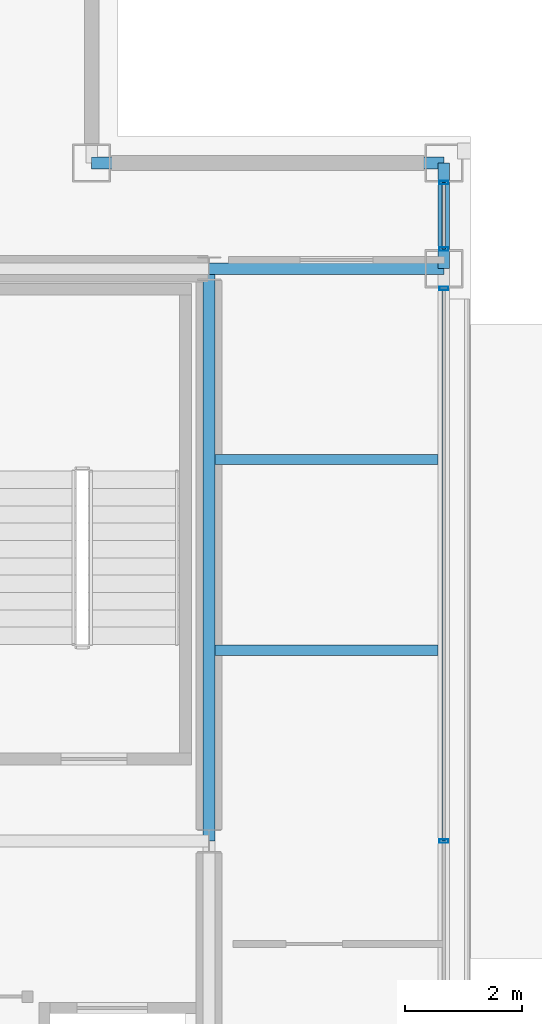
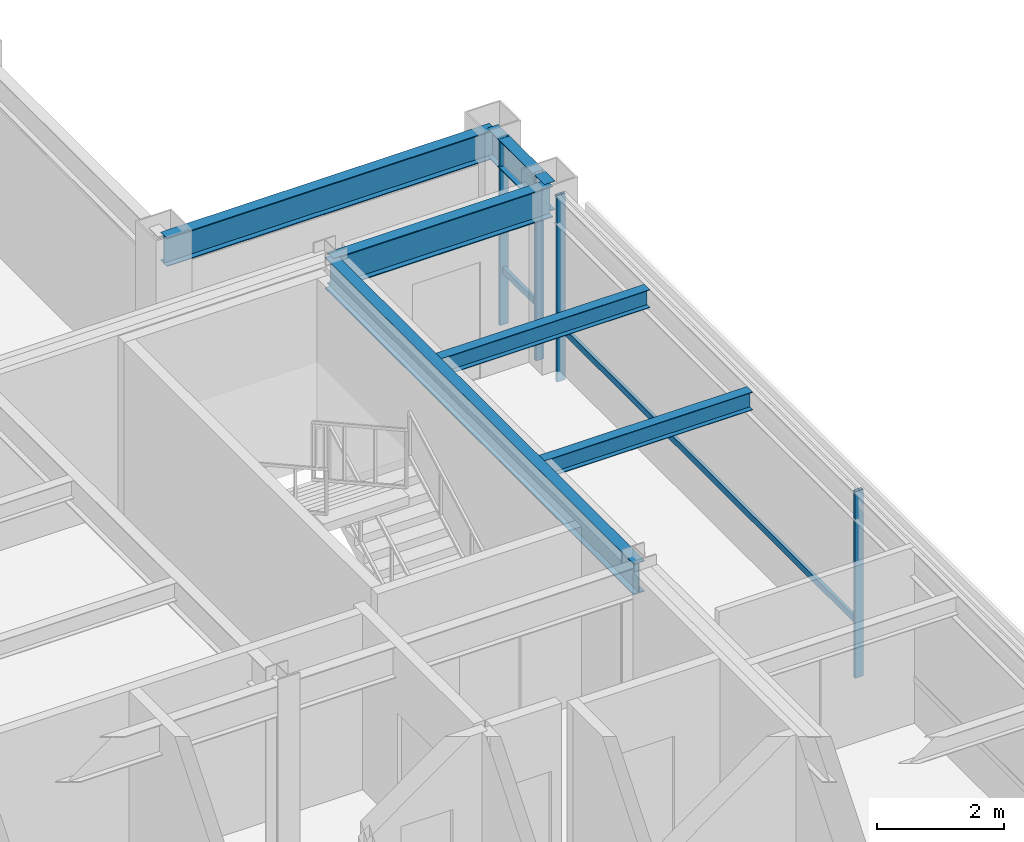
# One storey, part 12 of 20: 6 beams, 6 members, 2 elements without a shape of their own.
"""IFC4 building model written with IfcOpenShell, lengths in metres."""

from ifc_helpers import new_model, si_unit, direction, frame, origin, origin_2d, place, context, subcontext, project, spatial, hollow_rectangle, i_section, extrude, material, layer, layer_set, material_profile, profile_set, type_object, element, aggregate, save


model = new_model("IFC4")

# Units and contexts
model_context = context("Model", 3, precision=1e-05, world=origin(), true_north=direction((0.0, 1.0)))
body_context = subcontext(model_context, "Body", "Model", "MODEL_VIEW")
ifc_project = project(units=[si_unit("LENGTHUNIT", "METRE"), si_unit("AREAUNIT", "SQUARE_METRE"), si_unit("VOLUMEUNIT", "CUBIC_METRE"), si_unit("PLANEANGLEUNIT", "RADIAN"), si_unit("MASSUNIT", "GRAM", prefix="KILO")], contexts=[model_context])

# Site, building, storey
site_placement = place(None, origin())
site = spatial("IfcSite", under=ifc_project, at=site_placement, CompositionType="ELEMENT")
building_placement = place(site_placement, origin())
building = spatial("IfcBuilding", under=site, at=building_placement, Name="Brelmoor Portico Tower", CompositionType="ELEMENT")
storey_placement = place(building_placement, frame((0.0, 0.0, 243.60009765625)))
storey = spatial("IfcBuildingStorey", under=building, at=storey_placement, Name="L64", CompositionType="ELEMENT", Elevation=243.60009765625)

# Beams
ifc_material_1 = material(Name="Steel Q355B", Category="steel")
ifc_material_profile_1 = material_profile(ifc_material_1, i_section(OverallWidth=0.175048828125, OverallDepth=0.35009765625, WebThickness=0.007080078125, FlangeThickness=0.010986328125, at=origin_2d()), Name="HN 350x175x7x11")
ifc_profile_set_1 = profile_set([ifc_material_profile_1], Name="Steel Q355B")
beam_type_1 = type_object("IfcBeamType", Name="BM-JS-350", PredefinedType="JOIST", material=ifc_profile_set_1)
for number, where, z_axis, x_axis, name in (
    (1, (14.64990234375, 3.25, 3.224853515625), (1.0, 0.0, 0.0), (0.0, 1.0, 0.0), "L64 Secondary Wing Joist JS-E13"),
    (2, (14.64990234375, 6.5, 3.224853515625), (1.0, 0.0, 0.0), (0.0, 1.0, 0.0), "L64 Secondary Wing Joist JS-E14"),
):
    element("IfcBeam", number, at=place(storey_placement, frame(where, z_axis=z_axis, x_axis=x_axis)), inside=storey, type_object=beam_type_1, Name=name, PredefinedType="JOIST", context=body_context, shape_type="SweptSolid", body=[
        extrude(i_section(OverallWidth=0.175048828125, OverallDepth=0.35009765625, WebThickness=0.007080078125, FlangeThickness=0.010986328125, at=origin_2d()), origin(), (0.0, 0.0, 1.0), 3.800048828125),
    ])
ifc_material_profile_2 = material_profile(ifc_material_1, i_section(OverallWidth=0.199951171875, OverallDepth=0.60009765625, WebThickness=0.010986328125, FlangeThickness=0.01708984375, at=origin_2d()), Name="HN 600x200x11x17")
ifc_profile_set_2 = profile_set([ifc_material_profile_2], Name="Steel Q355B")
beam_type_2 = type_object("IfcBeamType", Name="BM-PG-600", PredefinedType="BEAM", material=ifc_profile_set_2)
beam_1_placement = place(storey_placement, frame((14.550048828125, 0.0, 3.099853515625), z_axis=(0.0, 1.0, 0.0), x_axis=(-1.0, 0.0, 0.0)))
element("IfcBeam", 3, at=beam_1_placement, inside=storey, type_object=beam_type_2, Name="L64 Primary Floor Girder PG-10", PredefinedType="BEAM", context=body_context, shape_type="SweptSolid", body=[
    extrude(i_section(OverallWidth=0.199951171875, OverallDepth=0.60009765625, WebThickness=0.010986328125, FlangeThickness=0.01708984375, at=origin_2d()), origin(), (0.0, 0.0, 1.0), 9.75),
])
beam_2_placement = place(storey_placement, frame((14.550048828125, 9.75, 3.099853515625), z_axis=(1.0, 0.0, 0.0), x_axis=(0.0, 1.0, 0.0)))
element("IfcBeam", 4, at=beam_2_placement, inside=storey, type_object=beam_type_2, Name="L64 Primary Floor Girder PG-23", PredefinedType="BEAM", context=body_context, shape_type="SweptSolid", body=[
    extrude(i_section(OverallWidth=0.199951171875, OverallDepth=0.60009765625, WebThickness=0.010986328125, FlangeThickness=0.01708984375, at=origin_2d()), origin(), (0.0, 0.0, 1.0), 4.0),
])
ifc_material_profile_3 = material_profile(ifc_material_1, i_section(OverallWidth=0.199951171875, OverallDepth=0.550048828125, WebThickness=0.010009765625, FlangeThickness=0.01611328125, at=origin_2d()), Name="HN 550x200x10x16")
ifc_profile_set_3 = profile_set([ifc_material_profile_3], Name="Steel Q355B")
beam_type_3 = type_object("IfcBeamType", Name="BM-SP-550", PredefinedType="SPANDREL", material=ifc_profile_set_3)
beam_3_placement = place(storey_placement, frame((12.550048828125, 11.550048828125, 3.125), z_axis=(1.0, 0.0, 0.0), x_axis=(0.0, 1.0, 0.0)))
element("IfcBeam", 5, at=beam_3_placement, inside=storey, type_object=beam_type_3, Name="L64 Perimeter Spandrel Beam SP-07", PredefinedType="SPANDREL", context=body_context, shape_type="SweptSolid", body=[
    extrude(i_section(OverallWidth=0.199951171875, OverallDepth=0.550048828125, WebThickness=0.010009765625, FlangeThickness=0.01611328125, at=origin_2d()), origin(), (0.0, 0.0, 1.0), 6.0),
])
beam_4_placement = place(storey_placement, frame((18.550048828125, 9.75, 3.125), z_axis=(0.0, 1.0, 0.0), x_axis=(-1.0, 0.0, 0.0)))
element("IfcBeam", 6, at=beam_4_placement, inside=storey, type_object=beam_type_3, Name="L64 Perimeter Spandrel Beam SP-20", PredefinedType="SPANDREL", context=body_context, shape_type="SweptSolid", body=[
    extrude(i_section(OverallWidth=0.199951171875, OverallDepth=0.550048828125, WebThickness=0.010009765625, FlangeThickness=0.01611328125, at=origin_2d()), origin(), (0.0, 0.0, 1.0), 1.800048828125),
])

# Curtain wall, members
ifc_material_2 = material(Name="Anodised Aluminium Alloy 6063-T6", Category="aluminium")
ifc_layer = layer(ifc_material_2, 0.179931640625)
ifc_layer_set = layer_set([ifc_layer], Name="Anodised Aluminium Alloy 6063-T6")
curtain_wall_type = type_object("IfcCurtainWallType", Name="CW-TOWER-Z4", PredefinedType="NOTDEFINED", material=ifc_layer_set)
curtain_wall_1_placement = place(storey_placement, origin())
curtain_wall_1 = element("IfcCurtainWall", 7, at=curtain_wall_1_placement, inside=storey, type_object=curtain_wall_type, Name="L64 Curtain Wall CW-L64-04-2", PredefinedType="NOTDEFINED")
ifc_material_profile_4 = material_profile(ifc_material_2, hollow_rectangle(XDim=0.06005859375, YDim=0.14990234375, WallThickness=0.00390625, at=origin_2d()), Name="ALU MULLION 60x150")
ifc_profile_set_4 = profile_set([ifc_material_profile_4], Name="Anodised Aluminium Alloy 6063-T6")
member_type_1 = type_object("IfcMemberType", Name="MB-CW-MULL-150", PredefinedType="MULLION", material=ifc_profile_set_4)
member_1_placement = place(storey_placement, frame((18.550048828125, 0.0, -0.2001953125), z_axis=(0.0, 0.0, 1.0), x_axis=(0.0, 1.0, 0.0)))
member_1 = element("IfcMember", 8, at=member_1_placement, type_object=member_type_1, Name="CW-L64-04-2 Mullion 01", PredefinedType="MULLION", context=body_context, shape_type="SweptSolid", body=[
    extrude(hollow_rectangle(XDim=0.06005859375, YDim=0.14990234375, WallThickness=0.00390625, at=origin_2d()), origin(), (0.0, 0.0, 1.0), 3.60009765625),
])
member_2_placement = place(storey_placement, frame((18.550048828125, 9.4150390625, -0.2001953125), z_axis=(0.0, 0.0, 1.0), x_axis=(0.0, 1.0, 0.0)))
member_2 = element("IfcMember", 9, at=member_2_placement, type_object=member_type_1, Name="CW-L64-04-2 Mullion 02", PredefinedType="MULLION", context=body_context, shape_type="SweptSolid", body=[
    extrude(hollow_rectangle(XDim=0.06005859375, YDim=0.14990234375, WallThickness=0.00390625, at=origin_2d()), origin(), (0.0, 0.0, 1.0), 3.60009765625),
])

curtain_wall_2_placement = place(storey_placement, origin())
curtain_wall_2 = element("IfcCurtainWall", 10, at=curtain_wall_2_placement, inside=storey, type_object=curtain_wall_type, Name="L64 Curtain Wall CW-L64-04-3", PredefinedType="NOTDEFINED")
member_3_placement = place(storey_placement, frame((18.550048828125, 10.0849609375, -0.2001953125), z_axis=(0.0, 0.0, 1.0), x_axis=(0.0, 1.0, 0.0)))
member_3 = element("IfcMember", 11, at=member_3_placement, type_object=member_type_1, Name="CW-L64-04-3 Mullion 00", PredefinedType="MULLION", context=body_context, shape_type="SweptSolid", body=[
    extrude(hollow_rectangle(XDim=0.06005859375, YDim=0.14990234375, WallThickness=0.00390625, at=origin_2d()), origin(), (0.0, 0.0, 1.0), 3.60009765625),
])
member_4_placement = place(storey_placement, frame((18.550048828125, 11.215087890625, -0.2001953125), z_axis=(0.0, 0.0, 1.0), x_axis=(0.0, 1.0, 0.0)))
member_4 = element("IfcMember", 12, at=member_4_placement, type_object=member_type_1, Name="CW-L64-04-3 Mullion 01", PredefinedType="MULLION", context=body_context, shape_type="SweptSolid", body=[
    extrude(hollow_rectangle(XDim=0.06005859375, YDim=0.14990234375, WallThickness=0.00390625, at=origin_2d()), origin(), (0.0, 0.0, 1.0), 3.60009765625),
])

# Member
ifc_material_profile_5 = material_profile(ifc_material_2, hollow_rectangle(XDim=0.06005859375, YDim=0.125, WallThickness=0.00341796875, at=origin_2d()), Name="ALU TRANSOM 60x125")
ifc_profile_set_5 = profile_set([ifc_material_profile_5], Name="Anodised Aluminium Alloy 6063-T6")
member_type_2 = type_object("IfcMemberType", Name="MB-CW-TRAN-125", PredefinedType="USERDEFINED", material=ifc_profile_set_5)
member_5_placement = place(storey_placement, frame((18.550048828125, 0.0, 0.849853515625), z_axis=(0.0, 1.0, 0.0), x_axis=(-1.0, 0.0, 0.0)))
member_5 = element("IfcMember", 13, at=member_5_placement, type_object=member_type_2, Name="CW-L64-04-2 Transom 1-01", ObjectType="TRANSOM", PredefinedType="USERDEFINED", context=body_context, shape_type="SweptSolid", body=[
    extrude(hollow_rectangle(XDim=0.06005859375, YDim=0.125, WallThickness=0.00341796875, at=origin_2d()), origin(), (0.0, 0.0, 1.0), 9.4150390625),
])

aggregate(curtain_wall_1, [member_1, member_2, member_5])

member_6_placement = place(storey_placement, frame((18.550048828125, 10.0849609375, 0.849853515625), z_axis=(0.0, 1.0, 0.0), x_axis=(-1.0, 0.0, 0.0)))
member_6 = element("IfcMember", 14, at=member_6_placement, type_object=member_type_2, Name="CW-L64-04-3 Transom 1-00", ObjectType="TRANSOM", PredefinedType="USERDEFINED", context=body_context, shape_type="SweptSolid", body=[
    extrude(hollow_rectangle(XDim=0.06005859375, YDim=0.125, WallThickness=0.00341796875, at=origin_2d()), origin(), (0.0, 0.0, 1.0), 1.130126953125),
])

aggregate(curtain_wall_2, [member_3, member_4, member_6])

save(model, "model.ifc")
